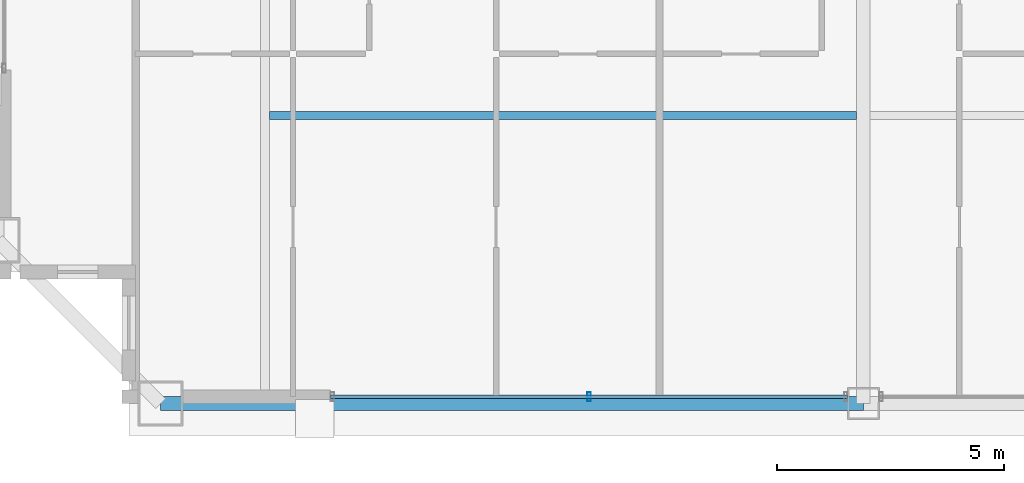
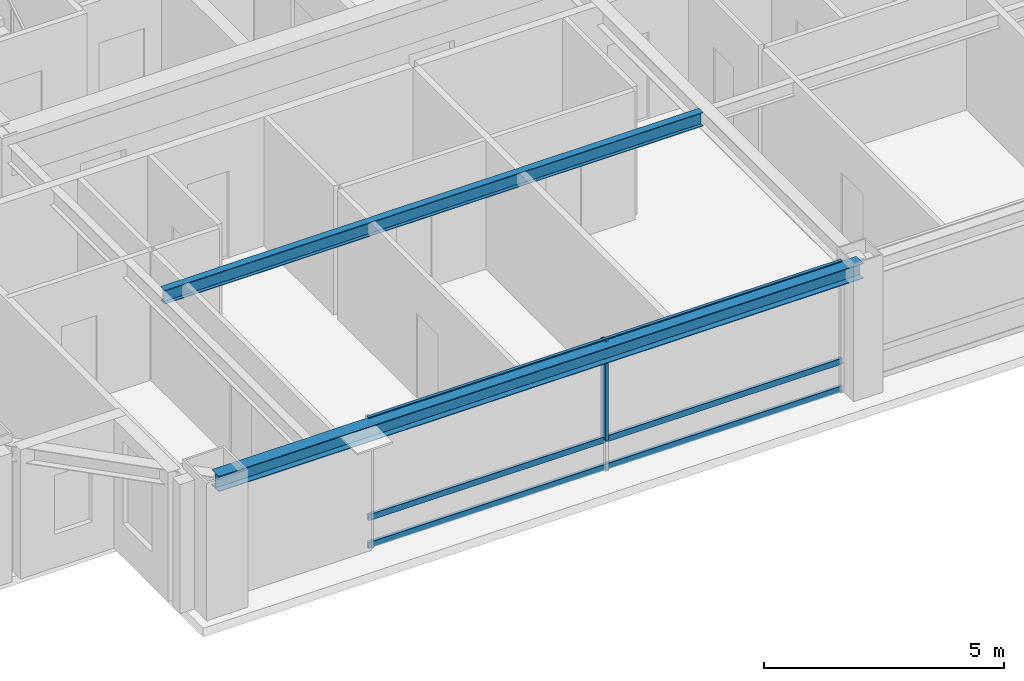
# One storey, part 5 of 35: 4 members, 2 beams, 1 element without a shape of its own.
"""IFC4 building model written with IfcOpenShell, lengths in metres."""

from ifc_helpers import new_model, si_unit, direction, frame, origin, origin_2d, place, context, subcontext, project, spatial, hollow_rectangle, i_section, extrude, source, transform, mapped, material, layer, layer_set, material_profile, profile_set, type_object, element, aggregate, save


model = new_model("IFC4")

# Units and contexts
model_context = context("Model", 3, precision=1e-05, world=origin(), true_north=direction((0.0, 1.0)))
body_context = subcontext(model_context, "Body", "Model", "MODEL_VIEW")
ifc_project = project(units=[si_unit("LENGTHUNIT", "METRE"), si_unit("AREAUNIT", "SQUARE_METRE"), si_unit("VOLUMEUNIT", "CUBIC_METRE"), si_unit("PLANEANGLEUNIT", "RADIAN"), si_unit("MASSUNIT", "GRAM", prefix="KILO"), si_unit("THERMODYNAMICTEMPERATUREUNIT", "KELVIN"), si_unit("POWERUNIT", "WATT")], contexts=[model_context])

# Site, building, storey
site_placement = place(None, origin())
site = spatial("IfcSite", under=ifc_project, at=site_placement, CompositionType="ELEMENT")
building_placement = place(site_placement, origin())
building = spatial("IfcBuilding", under=site, at=building_placement, Name="Yuzanri Waterfront Tower", CompositionType="ELEMENT")
storey_placement = place(building_placement, frame((0.0, 0.0, 332.199951171875)))
storey = spatial("IfcBuildingStorey", under=building, at=storey_placement, Name="L89", CompositionType="ELEMENT", Elevation=332.199951171875)

# Beams
ifc_material_1 = material(Name="Steel Q355B", Category="steel")
ifc_material_profile_1 = material_profile(ifc_material_1, i_section(OverallWidth=0.175048828125, OverallDepth=0.35009765625, WebThickness=0.007080078125, FlangeThickness=0.010986328125, at=origin_2d()), Name="HN 350x175x7x11")
ifc_profile_set_1 = profile_set([ifc_material_profile_1], Name="Steel Q355B")
beam_type_1 = type_object("IfcBeamType", Name="Floor Joist Q355B HN 350x175", PredefinedType="JOIST", material=ifc_profile_set_1)
shared_shape_1 = source(origin(), body_context, "Body", "SweptSolid", [
    extrude(i_section(OverallWidth=0.175048828125, OverallDepth=0.35009765625, WebThickness=0.007080078125, FlangeThickness=0.010986328125, at=origin_2d()), origin(), (0.0, 0.0, 1.0), 12.9501953125),
])
beam_1_placement = place(storey_placement, frame((23.89990234375, 13.050048828125, 3.10498046875), z_axis=(1.0, 0.0, 0.0), x_axis=(0.0, 1.0, 0.0)))
element("IfcBeam", 1, at=beam_1_placement, inside=storey, type_object=beam_type_1, Name="L89 South Bay Joist W", PredefinedType="JOIST", context=body_context, shape_type="MappedRepresentation", body=[
    mapped(shared_shape_1, transform((0.0, 0.0, 0.0), scale=1.0)),
])
ifc_material_2 = material(Name="Steel Q355B", Category="steel")
ifc_material_profile_2 = material_profile(ifc_material_2, i_section(OverallWidth=0.300048828125, OverallDepth=0.389892578125, WebThickness=0.010009765625, FlangeThickness=0.01611328125, at=origin_2d()), Name="HM 390x300x10x16")
ifc_profile_set_2 = profile_set([ifc_material_profile_2], Name="Steel Q355B")
beam_type_2 = type_object("IfcBeamType", Name="Perimeter Spandrel Q355B HM 390x300", PredefinedType="SPANDREL", material=ifc_profile_set_2)
shared_shape_2 = source(origin(), body_context, "Body", "SweptSolid", [
    extrude(i_section(OverallWidth=0.300048828125, OverallDepth=0.389892578125, WebThickness=0.010009765625, FlangeThickness=0.01611328125, at=origin_2d()), origin(), (0.0, 0.0, 1.0), 15.5),
])
beam_2_placement = place(storey_placement, frame((21.5, 6.699951171875, 3.0849609375), z_axis=(1.0, 0.0, 0.0), x_axis=(0.0, 1.0, 0.0)))
element("IfcBeam", 2, at=beam_2_placement, inside=storey, type_object=beam_type_2, Name="L89 Perimeter Spandrel S1-S2", PredefinedType="SPANDREL", context=body_context, shape_type="MappedRepresentation", body=[
    mapped(shared_shape_2, transform((0.0, 0.0, 0.0), scale=1.0)),
])

# Curtain wall, members
ifc_material_3 = material(Name="Anodized Architectural Bronze", Category="metal")
ifc_layer = layer(ifc_material_3, 0.159912109375)
ifc_layer_set = layer_set([ifc_layer], Name="Anodized Architectural Bronze")
curtain_wall_type = type_object("IfcCurtainWallType", Name="Anodized Bronze High-Rise Penthouse High-Wind Unitized Curtain Wall 6900", PredefinedType="NOTDEFINED", material=ifc_layer_set)
curtain_wall_placement = place(storey_placement, origin())
curtain_wall = element("IfcCurtainWall", 3, at=curtain_wall_placement, inside=storey, type_object=curtain_wall_type, Name="L89 Curtain Wall CW-L89-SL", PredefinedType="NOTDEFINED")
ifc_material_4 = material(Name="Anodized Architectural Bronze", Category="metal")
ifc_material_profile_3 = material_profile(ifc_material_4, hollow_rectangle(XDim=0.074951171875, YDim=0.199951171875, WallThickness=0.00390625, at=origin_2d()), Name="CWM 75x200")
ifc_profile_set_3 = profile_set([ifc_material_profile_3], Name="Anodized Architectural Bronze")
member_type_1 = type_object("IfcMemberType", Name="Anodized Bronze Primary Curtain-Wall Mullion 75x200", PredefinedType="MULLION", material=ifc_profile_set_3)
shared_shape_3 = source(origin(), body_context, "Body", "SweptSolid", [
    extrude(hollow_rectangle(XDim=0.074951171875, YDim=0.199951171875, WallThickness=0.00390625, at=origin_2d()), origin(), (0.0, 0.0, 1.0), 2.52392578125),
])
member_1_placement = place(storey_placement, frame((30.949951171875, 6.85009765625, 0.756103515625), z_axis=(0.0, 0.0, 1.0), x_axis=(1.0, 0.0, 0.0)))
member_1 = element("IfcMember", 4, at=member_1_placement, type_object=member_type_1, Name="CW-L89-SL Upper Mullion 01", PredefinedType="MULLION", context=body_context, shape_type="MappedRepresentation", body=[
    mapped(shared_shape_3, transform((0.0, 0.0, 0.0), scale=1.0)),
])
ifc_material_5 = material(Name="Anodized Architectural Bronze", Category="metal")
ifc_material_profile_4 = material_profile(ifc_material_5, hollow_rectangle(XDim=0.074951171875, YDim=0.14990234375, WallThickness=0.00390625, at=origin_2d()), Name="CWT 75x150")
ifc_profile_set_4 = profile_set([ifc_material_profile_4], Name="Anodized Architectural Bronze")
member_type_2 = type_object("IfcMemberType", Name="Anodized Bronze Primary Curtain-Wall Transom 75x150", PredefinedType="USERDEFINED", material=ifc_profile_set_4)
shared_shape_4 = source(origin(), body_context, "Body", "SweptSolid", [
    extrude(hollow_rectangle(XDim=0.074951171875, YDim=0.14990234375, WallThickness=0.00390625, at=origin_2d()), origin(), (0.0, 0.0, 1.0), 11.39990234375),
])
member_2_placement = place(storey_placement, frame((25.25, 6.85009765625, 0.050048828125), z_axis=(1.0, 0.0, 0.0), x_axis=(0.0, 1.0, 0.0)))
member_2 = element("IfcMember", 5, at=member_2_placement, type_object=member_type_2, Name="CW-L89-SL Transom 1", ObjectType="TRANSOM", PredefinedType="USERDEFINED", context=body_context, shape_type="MappedRepresentation", body=[
    mapped(shared_shape_4, transform((0.0, 0.0, 0.0), scale=1.0)),
])
member_3_placement = place(storey_placement, frame((25.25, 6.85009765625, 0.754150390625), z_axis=(1.0, 0.0, 0.0), x_axis=(0.0, 1.0, 0.0)))
member_3 = element("IfcMember", 6, at=member_3_placement, type_object=member_type_2, Name="CW-L89-SL Transom 2", ObjectType="TRANSOM", PredefinedType="USERDEFINED", context=body_context, shape_type="MappedRepresentation", body=[
    mapped(shared_shape_4, transform((0.0, 0.0, 0.0), scale=1.0)),
])
member_4_placement = place(storey_placement, frame((25.25, 6.85009765625, 3.22998046875), z_axis=(1.0, 0.0, 0.0), x_axis=(0.0, 1.0, 0.0)))
member_4 = element("IfcMember", 7, at=member_4_placement, type_object=member_type_2, Name="CW-L89-SL Transom 3", ObjectType="TRANSOM", PredefinedType="USERDEFINED", context=body_context, shape_type="MappedRepresentation", body=[
    mapped(shared_shape_4, transform((0.0, 0.0, 0.0), scale=1.0)),
])
aggregate(curtain_wall, [member_1, member_2, member_3, member_4])

save(model, "model.ifc")
